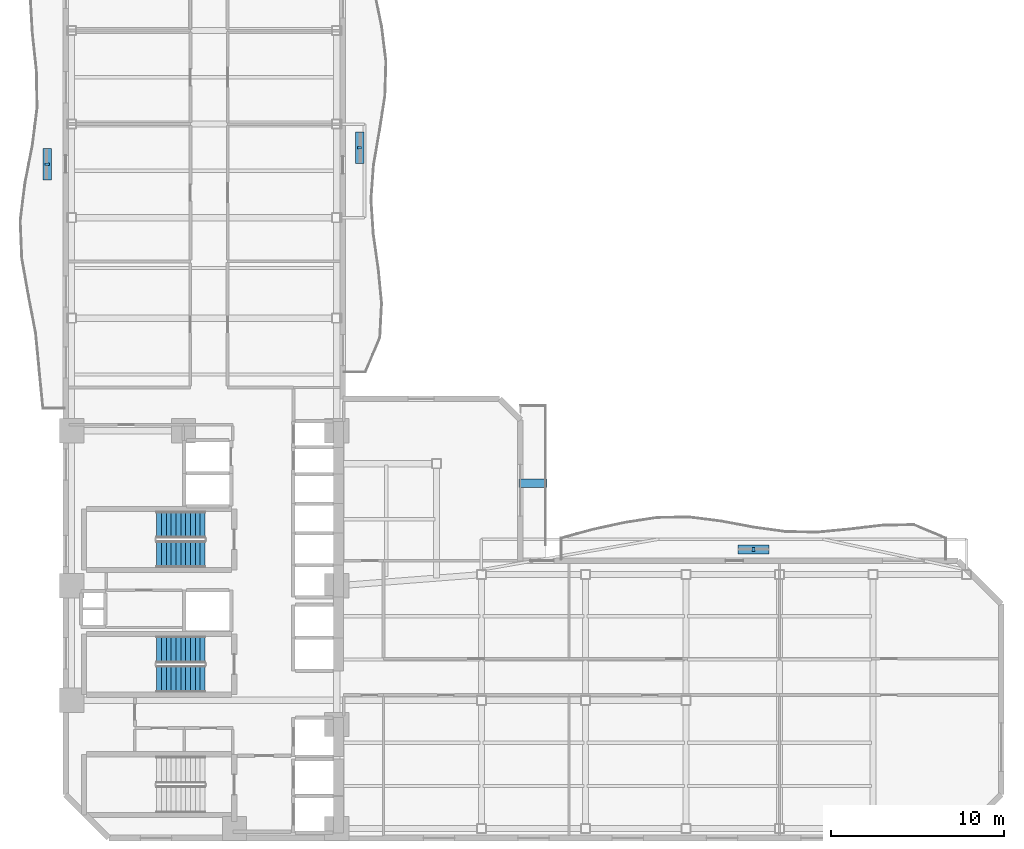
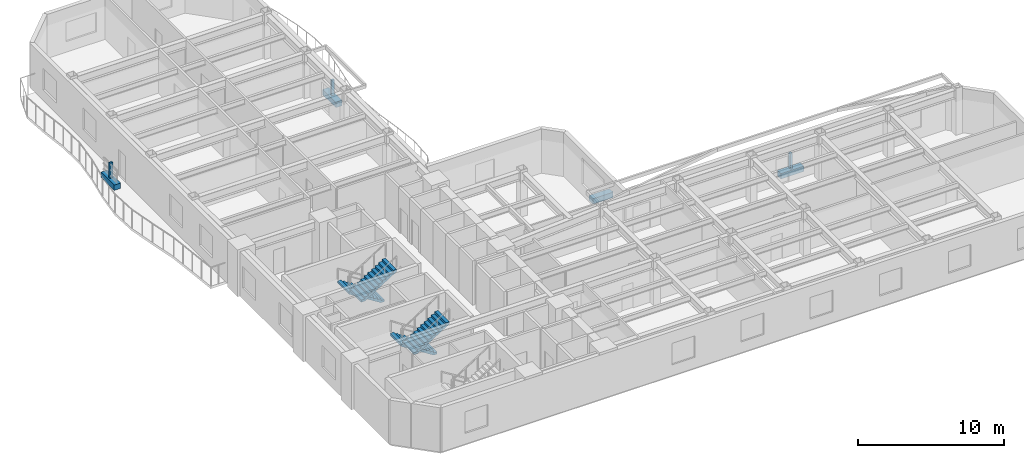
# One storey, part 7 of 11: 7 discrete accessories, 4 stair flights, 2 elements without a shape of their own.
"""IFC4 building model written with IfcOpenShell, lengths in metres."""

from ifc_helpers import new_model, si_unit, direction, frame, origin, origin_2d, place, context, subcontext, project, spatial, polyline, rectangle, outline, extrude, material, type_object, element, aggregate, save


model = new_model("IFC4")

# Units and contexts
model_context = context("Model", 3, precision=1e-05, world=origin(), true_north=direction((0.0, 1.0)))
body_context = subcontext(model_context, "Body", "Model", "MODEL_VIEW")
ifc_project = project(units=[si_unit("LENGTHUNIT", "METRE"), si_unit("AREAUNIT", "SQUARE_METRE"), si_unit("VOLUMEUNIT", "CUBIC_METRE"), si_unit("PLANEANGLEUNIT", "RADIAN"), si_unit("MASSUNIT", "GRAM", prefix="KILO")], contexts=[model_context])

# Site, building, storey
site_placement = place(None, origin())
site = spatial("IfcSite", under=ifc_project, at=site_placement, CompositionType="ELEMENT")
building_placement = place(site_placement, origin())
building = spatial("IfcBuilding", under=site, at=building_placement, Name="Mawjaban Terraces University", CompositionType="ELEMENT")
storey_placement = place(building_placement, frame((0.0, 0.0, 77.800048828125)))
storey = spatial("IfcBuildingStorey", under=building, at=storey_placement, Name="L18", CompositionType="ELEMENT", Elevation=77.800048828125)

# Stair, stair flights
ifc_material_1 = material(Name="Concrete C40/50", Category="concrete")
stair_type = type_object("IfcStairType", Name="Stair_Core1550_H39", PredefinedType="HALF_TURN_STAIR", material=ifc_material_1)
stair_1_placement = place(storey_placement, origin())
stair_1 = element("IfcStair", 1, at=stair_1_placement, inside=storey, type_object=stair_type, Name="L18 Core Exit Stair 2", PredefinedType="HALF_TURN_STAIR")
stair_flight_type = type_object("IfcStairFlightType", Name="Flight_Core1550_H39", PredefinedType="STRAIGHT", material=ifc_material_1)
stair_flight_1_placement = place(storey_placement, frame((30.050048828125, 18.074951171875, 0.0), z_axis=(0.0, 0.0, 1.0), x_axis=(-1.0, 0.0, 0.0)))
stair_flight_1 = element("IfcStairFlight", 2, at=stair_flight_1_placement, type_object=stair_flight_type, Name="ST-2 flight 1", NumberOfRisers=11, NumberOfTreads=10, PredefinedType="STRAIGHT", RiserHeight=0.177272727, TreadLength=0.28, context=body_context, shape_type="SweptSolid", body=[
    extrude(outline(polyline([(0.0, 0.0), (0.0, 0.17724609375), (0.280029296875, 0.17724609375), (0.280029296875, 0.3544921875), (0.56005859375, 0.3544921875), (0.56005859375, 0.53173828125), (0.840087890625, 0.53173828125), (0.840087890625, 0.708984375), (1.1201171875, 0.708984375), (1.1201171875, 0.886474609375), (1.39990234375, 0.886474609375), (1.39990234375, 1.063720703125), (1.679931640625, 1.063720703125), (1.679931640625, 1.240966796875), (1.9599609375, 1.240966796875), (1.9599609375, 1.418212890625), (2.239990234375, 1.418212890625), (2.239990234375, 1.595458984375), (2.52001953125, 1.595458984375), (2.52001953125, 1.772705078125), (2.800048828125, 1.772705078125), (2.800048828125, 1.949951171875), (2.800048828125, 1.59521484375), (0.2802734375, 0.0), (0.0, 0.0)])), frame((0.0, 0.77490234375, 0.0), z_axis=(0.0, -1.0, 0.0), x_axis=(1.0, 0.0, 0.0)), (0.0, 0.0, 1.0), 1.550048828125),
])
stair_flight_2_placement = place(storey_placement, frame((27.25, 16.375, 1.949951171875), z_axis=(0.0, 0.0, 1.0), x_axis=(1.0, 0.0, 0.0)))
stair_flight_2 = element("IfcStairFlight", 3, at=stair_flight_2_placement, type_object=stair_flight_type, Name="ST-2 flight 2", NumberOfRisers=11, NumberOfTreads=10, PredefinedType="STRAIGHT", RiserHeight=0.177272727, TreadLength=0.28, context=body_context, shape_type="SweptSolid", body=[
    extrude(outline(polyline([(0.0, 0.0), (0.0, 0.17724609375), (0.280029296875, 0.17724609375), (0.280029296875, 0.3544921875), (0.56005859375, 0.3544921875), (0.56005859375, 0.53173828125), (0.840087890625, 0.53173828125), (0.840087890625, 0.708984375), (1.1201171875, 0.708984375), (1.1201171875, 0.886474609375), (1.39990234375, 0.886474609375), (1.39990234375, 1.063720703125), (1.679931640625, 1.063720703125), (1.679931640625, 1.240966796875), (1.9599609375, 1.240966796875), (1.9599609375, 1.418212890625), (2.239990234375, 1.418212890625), (2.239990234375, 1.595458984375), (2.52001953125, 1.595458984375), (2.52001953125, 1.772705078125), (2.800048828125, 1.772705078125), (2.800048828125, 1.949951171875), (2.800048828125, 1.59521484375), (0.2802734375, 0.0), (0.0, 0.0)])), frame((0.0, 0.77490234375, 0.0), z_axis=(0.0, -1.0, 0.0), x_axis=(1.0, 0.0, 0.0)), (0.0, 0.0, 1.0), 1.550048828125),
])
aggregate(stair_1, [stair_flight_1, stair_flight_2])

stair_2_placement = place(storey_placement, origin())
stair_2 = element("IfcStair", 4, at=stair_2_placement, inside=storey, type_object=stair_type, Name="L18 Core Exit Stair 3", PredefinedType="HALF_TURN_STAIR")
stair_flight_3_placement = place(storey_placement, frame((30.050048828125, 10.875, 0.0), z_axis=(0.0, 0.0, 1.0), x_axis=(-1.0, 0.0, 0.0)))
stair_flight_3 = element("IfcStairFlight", 5, at=stair_flight_3_placement, type_object=stair_flight_type, Name="ST-3 flight 1", NumberOfRisers=11, NumberOfTreads=10, PredefinedType="STRAIGHT", RiserHeight=0.177272727, TreadLength=0.28, context=body_context, shape_type="SweptSolid", body=[
    extrude(outline(polyline([(0.0, 0.0), (0.0, 0.17724609375), (0.280029296875, 0.17724609375), (0.280029296875, 0.3544921875), (0.56005859375, 0.3544921875), (0.56005859375, 0.53173828125), (0.840087890625, 0.53173828125), (0.840087890625, 0.708984375), (1.1201171875, 0.708984375), (1.1201171875, 0.886474609375), (1.39990234375, 0.886474609375), (1.39990234375, 1.063720703125), (1.679931640625, 1.063720703125), (1.679931640625, 1.240966796875), (1.9599609375, 1.240966796875), (1.9599609375, 1.418212890625), (2.239990234375, 1.418212890625), (2.239990234375, 1.595458984375), (2.52001953125, 1.595458984375), (2.52001953125, 1.772705078125), (2.800048828125, 1.772705078125), (2.800048828125, 1.949951171875), (2.800048828125, 1.59521484375), (0.2802734375, 0.0), (0.0, 0.0)])), frame((0.0, 0.77490234375, 0.0), z_axis=(0.0, -1.0, 0.0), x_axis=(1.0, 0.0, 0.0)), (0.0, 0.0, 1.0), 1.550048828125),
])
stair_flight_4_placement = place(storey_placement, frame((27.25, 9.175048828125, 1.949951171875), z_axis=(0.0, 0.0, 1.0), x_axis=(1.0, 0.0, 0.0)))
stair_flight_4 = element("IfcStairFlight", 6, at=stair_flight_4_placement, type_object=stair_flight_type, Name="ST-3 flight 2", NumberOfRisers=11, NumberOfTreads=10, PredefinedType="STRAIGHT", RiserHeight=0.177272727, TreadLength=0.28, context=body_context, shape_type="SweptSolid", body=[
    extrude(outline(polyline([(0.0, 0.0), (0.0, 0.17724609375), (0.280029296875, 0.17724609375), (0.280029296875, 0.3544921875), (0.56005859375, 0.3544921875), (0.56005859375, 0.53173828125), (0.840087890625, 0.53173828125), (0.840087890625, 0.708984375), (1.1201171875, 0.708984375), (1.1201171875, 0.886474609375), (1.39990234375, 0.886474609375), (1.39990234375, 1.063720703125), (1.679931640625, 1.063720703125), (1.679931640625, 1.240966796875), (1.9599609375, 1.240966796875), (1.9599609375, 1.418212890625), (2.239990234375, 1.418212890625), (2.239990234375, 1.595458984375), (2.52001953125, 1.595458984375), (2.52001953125, 1.772705078125), (2.800048828125, 1.772705078125), (2.800048828125, 1.949951171875), (2.800048828125, 1.59521484375), (0.2802734375, 0.0), (0.0, 0.0)])), frame((0.0, 0.77490234375, 0.0), z_axis=(0.0, -1.0, 0.0), x_axis=(1.0, 0.0, 0.0)), (0.0, 0.0, 1.0), 1.550048828125),
])
aggregate(stair_2, [stair_flight_3, stair_flight_4])

# Discrete accessories
ifc_material_2 = material(Name="Stainless steel 316L", Category="steel")
discrete_accessory_type_1 = type_object("IfcDiscreteAccessoryType", Name="FacadeScreenBracket_Steel", PredefinedType="BRACKET", material=ifc_material_2)
for number, where, z_axis, x_axis, name in (
    (7, (20.943115234375, 38.883056640625, 0.419921875), (0.0, 0.0, 1.0), (0.0, 1.0, 0.0), "L18 Balcony Screen Support Bracket west"),
    (8, (61.699951171875, 16.64501953125, 0.419921875), (0.0, 0.0, 1.0), (1.0, 0.0, 0.0), "L18 Balcony Screen Support Bracket inner_north"),
    (9, (38.970947265625, 39.841064453125, 0.419921875), (0.0, 0.0, 1.0), (0.0, 1.0, 0.0), "L18 Balcony Screen Support Bracket inner_east"),
):
    element("IfcDiscreteAccessory", number, at=place(storey_placement, frame(where, z_axis=z_axis, x_axis=x_axis)), inside=storey, type_object=discrete_accessory_type_1, Name=name, PredefinedType="BRACKET", context=body_context, shape_type="SweptSolid", body=[
        extrude(rectangle(XDim=0.159912109375, YDim=0.239990234375, at=origin_2d()), origin(), (0.0, 0.0, 1.0), 1.300048828125),
    ])
ifc_material_3 = material(Name="Precast architectural terracotta planter with engineered planting soil", Category="masonry")
discrete_accessory_type_2 = type_object("IfcDiscreteAccessoryType", Name="IrrigatedPlanterTrough_450", PredefinedType="USERDEFINED", material=ifc_material_3)
for number, where, z_axis, x_axis, name in (
    (10, (20.943115234375, 38.883056640625, -0.0048828125), (0.0, 0.0, 1.0), (0.0, 1.0, 0.0), "L18 Balcony Irrigated Planter west"),
    (11, (61.699951171875, 16.64501953125, -0.0048828125), (0.0, 0.0, 1.0), (1.0, 0.0, 0.0), "L18 Balcony Irrigated Planter inner_north"),
    (12, (38.970947265625, 39.841064453125, -0.0048828125), (0.0, 0.0, 1.0), (0.0, 1.0, 0.0), "L18 Balcony Irrigated Planter inner_east"),
):
    element("IfcDiscreteAccessory", number, at=place(storey_placement, frame(where, z_axis=z_axis, x_axis=x_axis)), inside=storey, type_object=discrete_accessory_type_2, Name=name, ObjectType="PLANTER", PredefinedType="USERDEFINED", context=body_context, shape_type="SweptSolid", body=[
        extrude(rectangle(XDim=1.800048828125, YDim=0.5, at=origin_2d()), origin(), (0.0, 0.0, 1.0), 0.449951171875),
    ])
discrete_accessory_placement = place(storey_placement, frame((48.97509765625, 20.468017578125, -0.0048828125), z_axis=(0.0, 0.0, 1.0), x_axis=(1.0, 0.0, 0.0)))
element("IfcDiscreteAccessory", 13, at=discrete_accessory_placement, inside=storey, type_object=discrete_accessory_type_2, Name="L18 Terrace Planter TER-L18-CLIMB", ObjectType="PLANTER", PredefinedType="USERDEFINED", context=body_context, shape_type="SweptSolid", body=[
    extrude(rectangle(XDim=1.60009765625, YDim=0.5, at=origin_2d()), origin(), (0.0, 0.0, 1.0), 0.449951171875),
])

save(model, "model.ifc")
